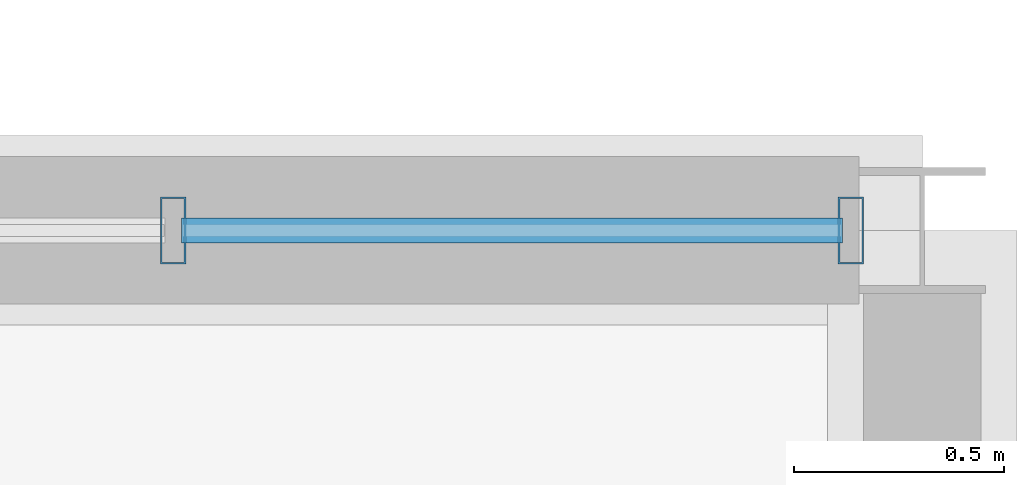
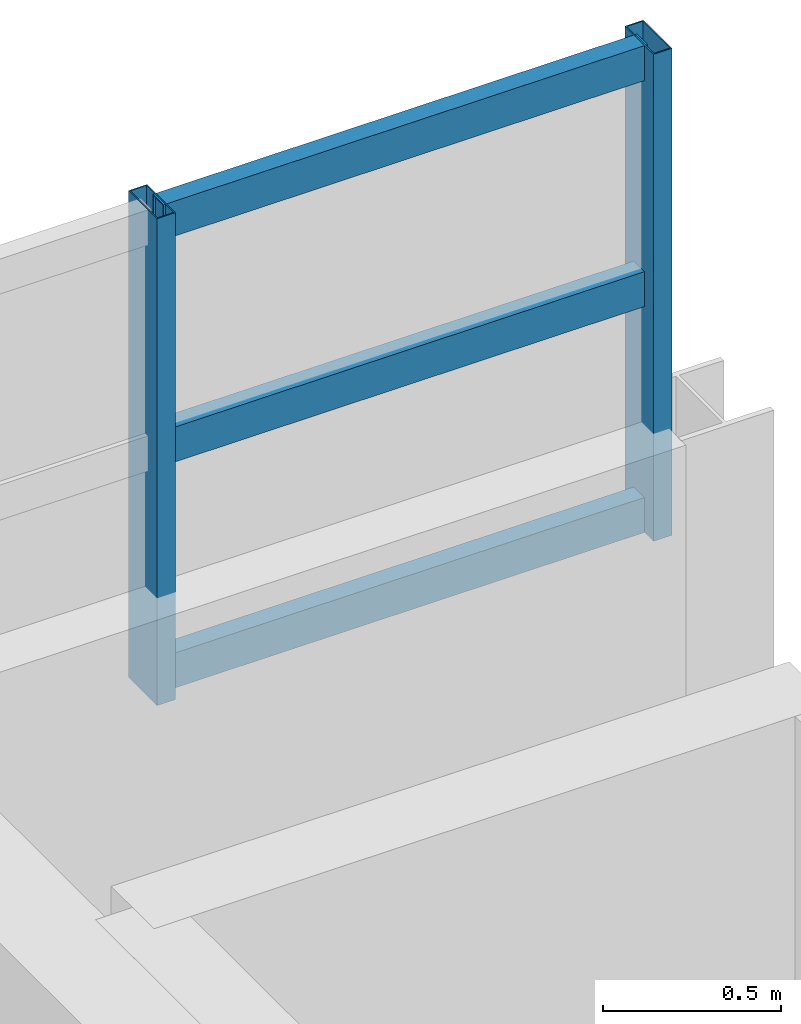
# One storey, part 30 of 36: 5 members, 1 element without a shape of its own.
"""IFC4 building model written with IfcOpenShell, lengths in metres."""

from ifc_helpers import new_model, si_unit, direction, frame, origin, origin_2d, place, context, subcontext, project, spatial, hollow_rectangle, extrude, material, layer, layer_set, material_profile, profile_set, type_object, element, aggregate, save


model = new_model("IFC4")

# Units and contexts
model_context = context("Model", 3, precision=1e-05, world=origin(), true_north=direction((0.0, 1.0)))
body_context = subcontext(model_context, "Body", "Model", "MODEL_VIEW")
ifc_project = project(units=[si_unit("LENGTHUNIT", "METRE"), si_unit("AREAUNIT", "SQUARE_METRE"), si_unit("VOLUMEUNIT", "CUBIC_METRE"), si_unit("PLANEANGLEUNIT", "RADIAN"), si_unit("MASSUNIT", "GRAM", prefix="KILO")], contexts=[model_context])

# Site, building, storey
site_placement = place(None, origin())
site = spatial("IfcSite", under=ifc_project, at=site_placement, CompositionType="ELEMENT")
building_placement = place(site_placement, origin())
building = spatial("IfcBuilding", under=site, at=building_placement, Name="Mersad Railyard Sports Hall", CompositionType="ELEMENT")
storey_placement = place(building_placement, frame((0.0, 0.0, 21.60009765625)))
storey = spatial("IfcBuildingStorey", under=building, at=storey_placement, Name="L05", CompositionType="ELEMENT", Elevation=21.60009765625)

# Curtain wall, members
ifc_material = material(Name="Aluminium 6063-T6", Category="aluminium")
ifc_layer = layer(ifc_material, 0.159912109375)
ifc_layer_set = layer_set([ifc_layer], Name="Aluminium 6063-T6")
curtain_wall_type = type_object("IfcCurtainWallType", Name="ARC-CW-CW51", PredefinedType="USERDEFINED", material=ifc_layer_set)
curtain_wall_placement = place(storey_placement, origin())
curtain_wall = element("IfcCurtainWall", 1, at=curtain_wall_placement, inside=storey, type_object=curtain_wall_type, Name="Curtain wall CW51-0137", ObjectType="CURTAIN WALL", PredefinedType="USERDEFINED")
ifc_material_profile_1 = material_profile(ifc_material, hollow_rectangle(XDim=0.06005859375, YDim=0.159912109375, WallThickness=0.00390625, at=origin_2d()), Name="AL MULLION 60x160x4")
ifc_profile_set_1 = profile_set([ifc_material_profile_1], Name="Aluminium 6063-T6")
member_type_1 = type_object("IfcMemberType", Name="ARC-CW-MUL01", PredefinedType="MULLION", material=ifc_profile_set_1)
member_1_placement = place(storey_placement, frame((119.219970703125, 115.0, 3.829833984375), z_axis=(0.0, 0.0, 1.0), x_axis=(1.0, 0.0, 0.0)))
member_1 = element("IfcMember", 2, at=member_1_placement, type_object=member_type_1, Name="CW51 Mullion 6", PredefinedType="MULLION", context=body_context, shape_type="SweptSolid", body=[
    extrude(hollow_rectangle(XDim=0.06005859375, YDim=0.159912109375, WallThickness=0.00390625, at=origin_2d()), origin(), (0.0, 0.0, 1.0), 1.670166015625),
])
member_2_placement = place(storey_placement, frame((120.830078125, 115.0, 3.829833984375), z_axis=(0.0, 0.0, 1.0), x_axis=(1.0, 0.0, 0.0)))
member_2 = element("IfcMember", 3, at=member_2_placement, type_object=member_type_1, Name="CW51 Mullion 7", PredefinedType="MULLION", context=body_context, shape_type="SweptSolid", body=[
    extrude(hollow_rectangle(XDim=0.06005859375, YDim=0.159912109375, WallThickness=0.00390625, at=origin_2d()), origin(), (0.0, 0.0, 1.0), 1.670166015625),
])
ifc_material_profile_2 = material_profile(ifc_material, hollow_rectangle(XDim=0.06005859375, YDim=0.1201171875, WallThickness=0.00390625, at=origin_2d()), Name="AL TRANSOM 60x120x4")
ifc_profile_set_2 = profile_set([ifc_material_profile_2], Name="Aluminium 6063-T6")
member_type_2 = type_object("IfcMemberType", Name="ARC-CW-TRN01", PredefinedType="USERDEFINED", material=ifc_profile_set_2)
member_3_placement = place(storey_placement, frame((119.239990234375, 115.0, 3.889892578125), z_axis=(1.0, 0.0, 0.0), x_axis=(0.0, 1.0, 0.0)))
member_3 = element("IfcMember", 4, at=member_3_placement, type_object=member_type_2, Name="CW51 Transom 1-6", ObjectType="TRANSOM", PredefinedType="USERDEFINED", context=body_context, shape_type="SweptSolid", body=[
    extrude(hollow_rectangle(XDim=0.06005859375, YDim=0.1201171875, WallThickness=0.00390625, at=origin_2d()), origin(), (0.0, 0.0, 1.0), 1.570068359375),
])
member_4_placement = place(storey_placement, frame((119.239990234375, 115.0, 4.664794921875), z_axis=(1.0, 0.0, 0.0), x_axis=(0.0, 1.0, 0.0)))
member_4 = element("IfcMember", 5, at=member_4_placement, type_object=member_type_2, Name="CW51 Transom 2-6", ObjectType="TRANSOM", PredefinedType="USERDEFINED", context=body_context, shape_type="SweptSolid", body=[
    extrude(hollow_rectangle(XDim=0.06005859375, YDim=0.1201171875, WallThickness=0.00390625, at=origin_2d()), origin(), (0.0, 0.0, 1.0), 1.570068359375),
])
member_5_placement = place(storey_placement, frame((119.239990234375, 115.0, 5.43994140625), z_axis=(1.0, 0.0, 0.0), x_axis=(0.0, 1.0, 0.0)))
member_5 = element("IfcMember", 6, at=member_5_placement, type_object=member_type_2, Name="CW51 Transom 3-6", ObjectType="TRANSOM", PredefinedType="USERDEFINED", context=body_context, shape_type="SweptSolid", body=[
    extrude(hollow_rectangle(XDim=0.06005859375, YDim=0.1201171875, WallThickness=0.00390625, at=origin_2d()), origin(), (0.0, 0.0, 1.0), 1.570068359375),
])
aggregate(curtain_wall, [member_1, member_2, member_3, member_4, member_5])

save(model, "model.ifc")
